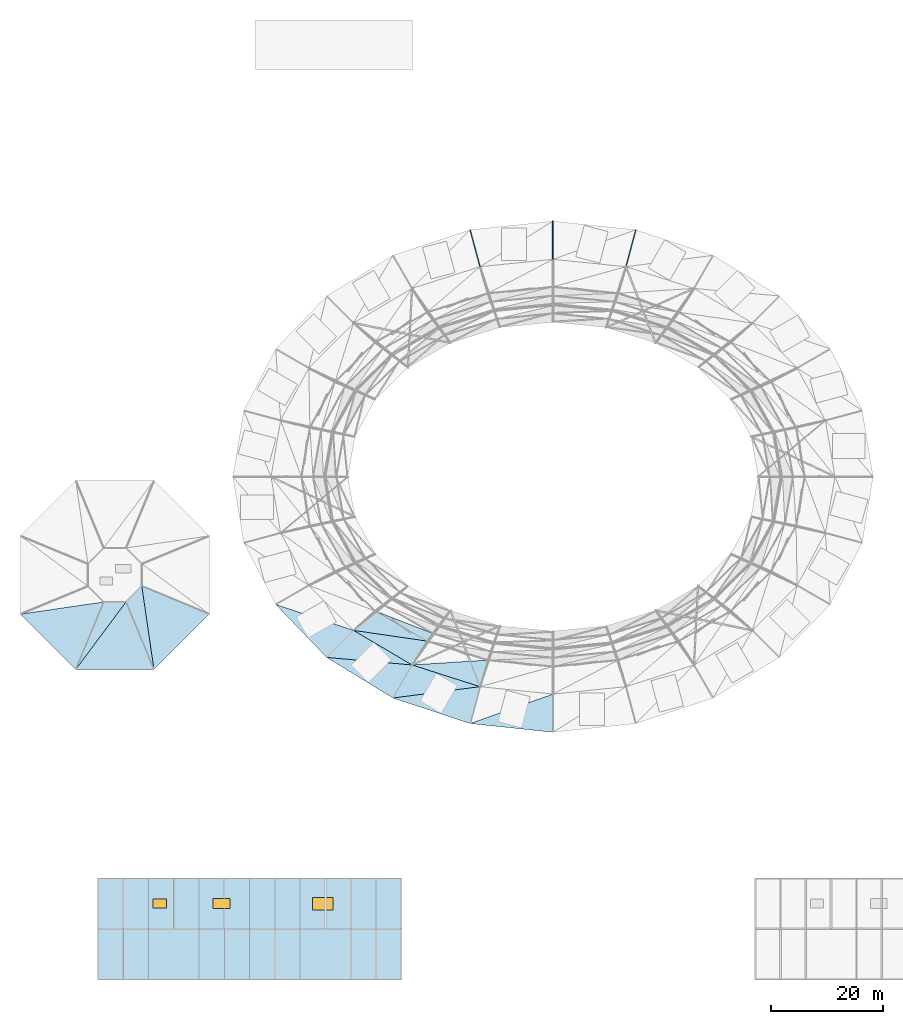
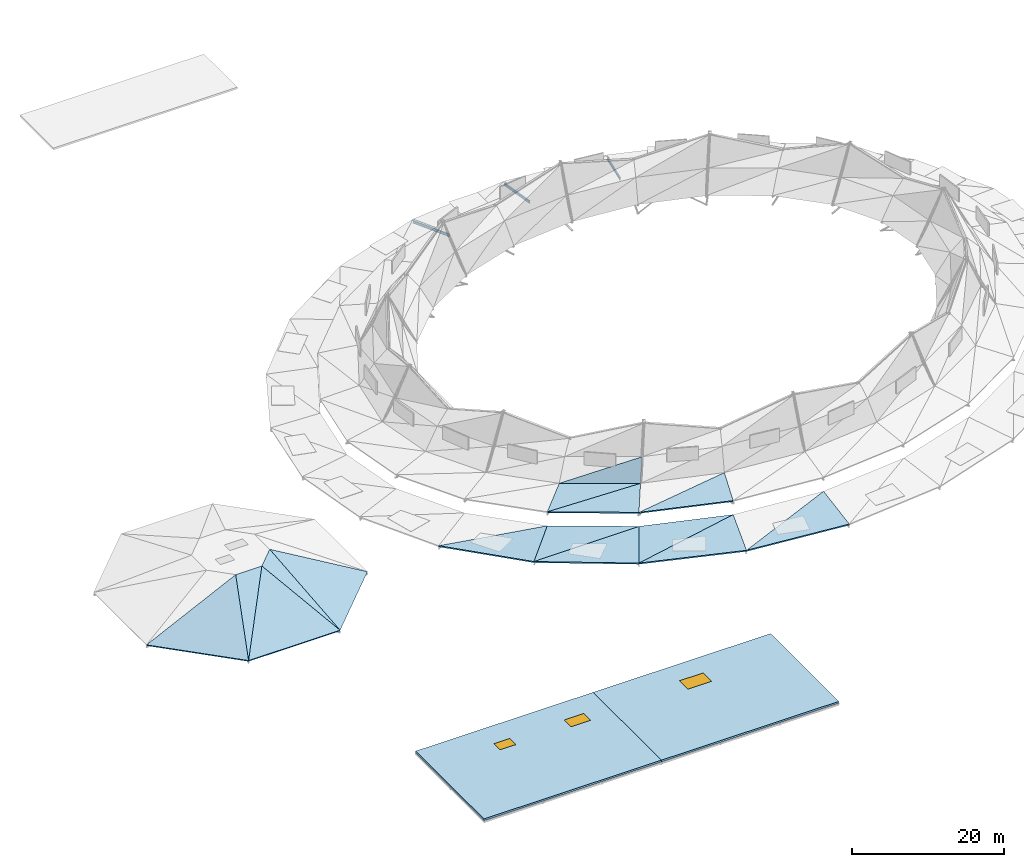
# One storey, part 25 of 36: 17 slabs, 3 beams, 3 windows, 3 openings.
"""IFC4 building model written with IfcOpenShell, lengths in metres."""

from ifc_helpers import new_model, si_unit, direction, frame, origin, origin_2d, place, context, subcontext, project, spatial, polyline, rectangle, i_section, outline, extrude, material, layer, layer_set, material_profile, profile_set, type_object, element, fill, save


model = new_model("IFC4")

# Units and contexts
model_context = context("Model", 3, precision=1e-05, world=origin(), true_north=direction((0.0, 1.0)))
body_context = subcontext(model_context, "Body", "Model", "MODEL_VIEW")
ifc_project = project(units=[si_unit("LENGTHUNIT", "METRE"), si_unit("AREAUNIT", "SQUARE_METRE"), si_unit("VOLUMEUNIT", "CUBIC_METRE"), si_unit("PLANEANGLEUNIT", "RADIAN"), si_unit("MASSUNIT", "GRAM", prefix="KILO")], contexts=[model_context])

# Site, building, storey
site_placement = place(None, origin())
site = spatial("IfcSite", under=ifc_project, at=site_placement, CompositionType="ELEMENT")
building_placement = place(site_placement, origin())
building = spatial("IfcBuilding", under=site, at=building_placement, Name="Kildeholm Park Wholesale Market", CompositionType="ELEMENT")
storey_placement = place(building_placement, frame((0.0, 0.0, 17.39990234375)))
storey = spatial("IfcBuildingStorey", under=building, at=storey_placement, Name="Roof", CompositionType="ELEMENT", Elevation=17.39990234375)

# Beams
ifc_material_1 = material(Name="Steel S355", Category="steel")
ifc_material_profile = material_profile(ifc_material_1, i_section(OverallWidth=0.179931640625, OverallDepth=0.39990234375, WebThickness=0.008544921875, FlangeThickness=0.013427734375, FilletRadius=0.02099609375, at=origin_2d()), Name="IPE 400")
ifc_profile_set = profile_set([ifc_material_profile], Name="Steel S355")
beam_type = type_object("IfcBeamType", Name="Beam B-P01 IPE 400", PredefinedType="BEAM", material=ifc_profile_set)
beam_1_placement = place(storey_placement, frame((113.7529296875, 133.449951171875, -8.024658203125), z_axis=(-0.255181985009, -0.952410388217, 0.166723144596), x_axis=(0.965929783914, -0.258804274594, 0.0)))
element("IfcBeam", 1, at=beam_1_placement, inside=storey, type_object=beam_type, Name="Beam BM-V1-RF-S1-05 BM-0249", PredefinedType="BEAM", context=body_context, shape_type="SweptSolid", body=[
    extrude(i_section(OverallWidth=0.179931640625, OverallDepth=0.39990234375, WebThickness=0.008544921875, FlangeThickness=0.013427734375, FilletRadius=0.02099609375, at=origin_2d()), origin(), (0.0, 0.0, 1.0), 6.89697265625),
])
beam_2_placement = place(storey_placement, frame((99.0, 135.0, -8.0244140625), z_axis=(0.0, -0.98599593418, 0.16676935504), x_axis=(1.0, 0.0, 0.0)))
element("IfcBeam", 2, at=beam_2_placement, inside=storey, type_object=beam_type, Name="Beam BM-V1-RF-S1-06 BM-0255", PredefinedType="BEAM", context=body_context, shape_type="SweptSolid", body=[
    extrude(i_section(OverallWidth=0.179931640625, OverallDepth=0.39990234375, WebThickness=0.008544921875, FlangeThickness=0.013427734375, FilletRadius=0.02099609375, at=origin_2d()), origin(), (0.0, 0.0, 1.0), 6.896728515625),
])
beam_3_placement = place(storey_placement, frame((84.2470703125, 133.449951171875, -8.0244140625), z_axis=(0.255180478877, -0.95240476691, 0.166757558051), x_axis=(0.965929783914, 0.258804274594, 0.0)))
element("IfcBeam", 3, at=beam_3_placement, inside=storey, type_object=beam_type, Name="Beam BM-V1-RF-S1-07 BM-0261", PredefinedType="BEAM", context=body_context, shape_type="SweptSolid", body=[
    extrude(i_section(OverallWidth=0.179931640625, OverallDepth=0.39990234375, WebThickness=0.008544921875, FlangeThickness=0.013427734375, FilletRadius=0.02099609375, at=origin_2d()), origin(), (0.0, 0.0, 1.0), 6.897216796875),
])

# Slab, openings, windows
ifc_material_2 = material(Name="Concrete C35/45", Category="concrete")
ifc_layer_1 = layer(ifc_material_2, 0.280029296875)
ifc_layer_set_1 = layer_set([ifc_layer_1], Name="Concrete C35/45")
slab_type_1 = type_object("IfcSlabType", Name="Slab S-RF1 280 mm", PredefinedType="ROOF", material=ifc_layer_set_1)
slab_1_placement = place(storey_placement, frame((0.0, 0.0, -0.27978515625)))
slab_1 = element("IfcSlab", 4, at=slab_1_placement, inside=storey, type_object=slab_type_1, Name="V5W Roof slab RF part 1 SLB-0378", PredefinedType="ROOF", context=body_context, shape_type="SweptSolid", body=[
    extrude(outline(polyline([(18.0, 0.0), (45.0, 0.0), (45.0, 18.0), (18.0, 18.0), (18.0, 0.0)])), origin(), (0.0, 0.0, 1.0), 0.27978515625),
])
opening_1_placement = place(slab_1_placement, frame((29.0, 13.5, 0.0)))
opening_1 = element("IfcOpeningElement", 5, at=opening_1_placement, cuts=slab_1, Name="Opening SK-01", PredefinedType="OPENING", context=body_context, shape_type="SweptSolid", body=[
    extrude(rectangle(XDim=2.39990234375, YDim=1.60009765625, at=origin_2d()), frame((0.0, 0.0, -0.010009765625)), (0.0, 0.0, 1.0), 0.2998046875),
])
opening_2_placement = place(slab_1_placement, frame((40.0, 13.5, 0.0)))
opening_2 = element("IfcOpeningElement", 6, at=opening_2_placement, cuts=slab_1, Name="Opening SK-02", PredefinedType="OPENING", context=body_context, shape_type="SweptSolid", body=[
    extrude(rectangle(XDim=3.0, YDim=1.800048828125, at=origin_2d()), frame((0.0, 0.0, -0.010009765625)), (0.0, 0.0, 1.0), 0.2998046875),
])
ifc_material_3 = material(Name="Thermally broken aluminium and triple-glazed low-E glass", Category="aluminium")
window_type_1 = type_object("IfcWindowType", Name="Roof skylight SK-01 2400x1600", PartitioningType="SINGLE_PANEL", PredefinedType="SKYLIGHT", material=ifc_material_3)
window_1_placement = place(opening_1_placement, frame((0.0, 0.0, 0.2197265625)))
window_1 = element("IfcWindow", 7, at=window_1_placement, inside=storey, type_object=window_type_1, Name="V5W roof skylight 1.11 WIN-0349", OverallHeight=1.60009765625, OverallWidth=2.39990234375, PartitioningType="SINGLE_PANEL", PredefinedType="SKYLIGHT", context=body_context, shape_type="SweptSolid", body=[
    extrude(rectangle(XDim=2.39990234375, YDim=1.60009765625, at=origin_2d()), origin(), (0.0, 0.0, 1.0), 0.06005859375),
])
fill(opening_1, window_1)
window_type_2 = type_object("IfcWindowType", Name="Roof skylight SK-02 3000x1800", PartitioningType="DOUBLE_PANEL_VERTICAL", PredefinedType="SKYLIGHT", material=ifc_material_3)
window_2_placement = place(opening_2_placement, frame((0.0, 0.0, 0.2197265625)))
window_2 = element("IfcWindow", 8, at=window_2_placement, inside=storey, type_object=window_type_2, Name="V5W roof skylight 1.22 WIN-0350", OverallHeight=1.800048828125, OverallWidth=3.0, PartitioningType="SINGLE_PANEL", PredefinedType="SKYLIGHT", context=body_context, shape_type="SweptSolid", body=[
    extrude(rectangle(XDim=3.0, YDim=1.800048828125, at=origin_2d()), origin(), (0.0, 0.0, 1.0), 0.06005859375),
])
fill(opening_2, window_2)

# Slab, opening, window
slab_2_placement = place(storey_placement, frame((0.0, 0.0, -0.27978515625)))
slab_2 = element("IfcSlab", 9, at=slab_2_placement, inside=storey, type_object=slab_type_1, Name="V5W Roof slab RF part 2 SLB-0379", PredefinedType="ROOF", context=body_context, shape_type="SweptSolid", body=[
    extrude(outline(polyline([(45.0, 0.0), (72.0, 0.0), (72.0, 18.0), (45.0, 18.0), (45.0, 0.0)])), origin(), (0.0, 0.0, 1.0), 0.27978515625),
])
opening_3_placement = place(slab_2_placement, frame((58.0, 13.5, 0.0)))
opening_3 = element("IfcOpeningElement", 10, at=opening_3_placement, cuts=slab_2, Name="Opening SK-03", PredefinedType="OPENING", context=body_context, shape_type="SweptSolid", body=[
    extrude(rectangle(XDim=3.60009765625, YDim=2.199951171875, at=origin_2d()), frame((0.0, 0.0, -0.010009765625)), (0.0, 0.0, 1.0), 0.2998046875),
])
window_type_3 = type_object("IfcWindowType", Name="Roof skylight SK-03 3600x2200", PartitioningType="TRIPLE_PANEL_VERTICAL", PredefinedType="SKYLIGHT", material=ifc_material_3)
window_3_placement = place(opening_3_placement, frame((0.0, 0.0, 0.2197265625)))
window_3 = element("IfcWindow", 11, at=window_3_placement, inside=storey, type_object=window_type_3, Name="V5W roof skylight 2.40 WIN-0351", OverallHeight=2.199951171875, OverallWidth=3.60009765625, PartitioningType="SINGLE_PANEL", PredefinedType="SKYLIGHT", context=body_context, shape_type="SweptSolid", body=[
    extrude(rectangle(XDim=3.60009765625, YDim=2.199951171875, at=origin_2d()), origin(), (0.0, 0.0, 1.0), 0.06005859375),
])
fill(opening_3, window_3)

# Slabs
ifc_layer_2 = layer(ifc_material_2, 0.219970703125)
ifc_layer_set_2 = layer_set([ifc_layer_2], Name="Concrete C35/45")
slab_type_2 = type_object("IfcSlabType", Name="Slab S-RF2 220 mm", PredefinedType="ROOF", material=ifc_layer_set_2)
slab_3_placement = place(storey_placement, frame((49.636962890625, 66.75, -7.599853515625), z_axis=(-0.120236411045, -0.115579224359, 0.985994243571), x_axis=(0.693006803532, -0.720931044039, 0.0)))
element("IfcSlab", 12, at=slab_3_placement, inside=storey, type_object=slab_type_2, Name="Outer white ceramic rim band 1 sector 15A SLB-0181", PredefinedType="ROOF", context=body_context, shape_type="SweptSolid", body=[
    extrude(outline(polyline([(0.0, 0.0), (13.070730940282242, -8.881784197001252e-16), (12.936299055677074, 6.894752513155697), (0.0, 0.0)])), origin(), (0.0, 0.0, -1.0), 0.219970703125),
])
slab_4_placement = place(storey_placement, frame((58.695068359375, 57.326904296875, -7.599853515625), z_axis=(-0.087119347575, -0.142227085329, 0.985992736016), x_axis=(0.852740373682, -0.522335002745, 0.0)))
element("IfcSlab", 13, at=slab_4_placement, inside=storey, type_object=slab_type_2, Name="Outer white ceramic rim band 1 sector 16A SLB-0193", PredefinedType="ROOF", context=body_context, shape_type="SweptSolid", body=[
    extrude(outline(polyline([(0.0, 0.0), (13.843523779284418, 0.0), (13.666643287997365, 6.894384090327653), (0.0, 0.0)])), origin(), (0.0, 0.0, -1.0), 0.219970703125),
])
slab_5_placement = place(storey_placement, frame((58.695068359375, 57.326904296875, -7.599853515625), z_axis=(-0.087564249827, -0.148035376862, 0.985097979568), x_axis=(0.993314043853, -0.087658022528, 0.075121776948)))
element("IfcSlab", 14, at=slab_5_placement, inside=storey, type_object=slab_type_2, Name="Outer white ceramic rim band 1 sector 16B SLB-0194", PredefinedType="ROOF", context=body_context, shape_type="SweptSolid", body=[
    extrude(outline(polyline([(0.0, 0.0), (15.307177099201748, 2.498001805406602e-16), (4.440629868005163, 5.276029807027794), (0.0, 0.0)])), origin(), (0.0, 0.0, -1.0), 0.219970703125),
])
slab_6_placement = place(storey_placement, frame((63.5029296875, 62.135009765625, -4.199951171875), z_axis=(-0.113556575253, -0.191977781411, 0.974807383877), x_axis=(0.860700316594, -0.509111937609, 0.0)))
element("IfcSlab", 15, at=slab_6_placement, inside=storey, type_object=slab_type_2, Name="Upper white ceramic rim band 2 sector 16A SLB-0195", PredefinedType="ROOF", context=body_context, shape_type="SweptSolid", body=[
    extrude(outline(polyline([(0.0, 0.0), (12.079666355180176, 0.0), (12.243604132970296, 5.156489651848838), (0.0, 0.0)])), origin(), (0.0, 0.0, -1.0), 0.219970703125),
])
slab_7_placement = place(storey_placement, frame((63.5029296875, 62.135009765625, -4.199951171875), z_axis=(-0.114229284268, -0.197284834122, 0.973668508704), x_axis=(0.985850165908, -0.143542401035, 0.08657383834)))
element("IfcSlab", 16, at=slab_7_placement, inside=storey, type_object=slab_type_2, Name="Upper white ceramic rim band 2 sector 16B SLB-0196", PredefinedType="ROOF", context=body_context, shape_type="SweptSolid", body=[
    extrude(outline(polyline([(0.0, 0.0), (13.28515064628593, 3.608224830031759e-16), (3.3672378417552733, 4.07146687267444), (0.0, 0.0)])), origin(), (0.0, 0.0, -1.0), 0.219970703125),
])
slab_8_placement = place(storey_placement, frame((67.322021484375, 65.60009765625, -3.0498046875), z_axis=(-0.439345660507, -0.75879172588, 0.480843537266), x_axis=(0.865403937833, -0.501074869039, 0.0)))
element("IfcSlab", 17, at=slab_8_placement, inside=storey, type_object=slab_type_2, Name="Arched gable roof facet 16-LOA SLB-0197", PredefinedType="ROOF", context=body_context, shape_type="SweptSolid", body=[
    extrude(outline(polyline([(0.0, 0.0), (10.721093082963066, 8.881784197001252e-16), (10.934927367791687, 3.535391000763841), (0.0, 0.0)])), origin(), (0.0, 0.0, -1.0), 0.219970703125),
])
slab_9_placement = place(storey_placement, frame((70.5, 50.095947265625, -7.599853515625), z_axis=(-0.052428977126, -0.158548380453, 0.985958220927), x_axis=(0.949435985478, -0.313960681424, 0.0)))
element("IfcSlab", 18, at=slab_9_placement, inside=storey, type_object=slab_type_2, Name="Outer white ceramic rim band 1 sector 17A SLB-0205", PredefinedType="ROOF", context=body_context, shape_type="SweptSolid", body=[
    extrude(outline(polyline([(0.0, 0.0), (14.479196620699776, 8.881784197001252e-16), (14.087853340652858, 6.885965418402882), (0.0, 0.0)])), origin(), (0.0, 0.0, -1.0), 0.219970703125),
])
slab_10_placement = place(storey_placement, frame((70.5, 50.095947265625, -7.599853515625), z_axis=(-0.051875197447, -0.162449034896, 0.985352360809), x_axis=(0.988928239616, 0.129008917195, 0.073332367848)))
element("IfcSlab", 19, at=slab_10_placement, inside=storey, type_object=slab_type_2, Name="Outer white ceramic rim band 1 sector 17B SLB-0206", PredefinedType="ROOF", context=body_context, shape_type="SweptSolid", body=[
    extrude(outline(polyline([(0.0, 0.0), (15.680692953156894, 0.0), (4.206338676276323, 5.4653941883109365), (0.0, 0.0)])), origin(), (0.0, 0.0, -1.0), 0.219970703125),
])
slab_11_placement = place(storey_placement, frame((73.89990234375, 55.985107421875, -4.199951171875), z_axis=(-0.069057833117, -0.216257072626, 0.973891110045), x_axis=(0.952608649326, -0.304198555599, 0.0)))
element("IfcSlab", 20, at=slab_11_placement, inside=storey, type_object=slab_type_2, Name="Upper white ceramic rim band 2 sector 17A SLB-0207", PredefinedType="ROOF", context=body_context, shape_type="SweptSolid", body=[
    extrude(outline(polyline([(0.0, 0.0), (12.709498011526277, 4.440892098500626e-16), (12.601377828087868, 5.0663752898579695), (0.0, 0.0)])), origin(), (0.0, 0.0, -1.0), 0.219970703125),
])
slab_12_placement = place(storey_placement, frame((84.2470703125, 45.550048828125, -7.599853515625), z_axis=(-0.017515683595, -0.166709360257, 0.985850490709), x_axis=(0.99452572496, -0.104492020715, 0.0)))
element("IfcSlab", 21, at=slab_12_placement, inside=storey, type_object=slab_type_2, Name="Outer white ceramic rim band 1 sector 18A SLB-0217", PredefinedType="ROOF", context=body_context, shape_type="SweptSolid", body=[
    extrude(outline(polyline([(0.0, 0.0), (14.834135827000187, 2.220446049250313e-16), (14.123584983988293, 6.859887532936747), (0.0, 0.0)])), origin(), (0.0, 0.0, -1.0), 0.219970703125),
])
slab_13_placement = place(storey_placement, frame((4.18505859375, 65.034912109375, -6.599853515625), z_axis=(-0.26240826142, -0.26240826142, 0.92859238026), x_axis=(0.707106781187, -0.707106781187, 0.0)))
element("IfcSlab", 22, at=slab_13_placement, inside=storey, type_object=slab_type_2, Name="Auction pavilion hipped roof facet 5A SLB-0331", PredefinedType="ROOF", context=body_context, shape_type="SweptSolid", body=[
    extrude(outline(polyline([(0.0, 0.0), (13.929796429185187, 0.0), (8.954671837628762, 12.93460449006867), (0.0, 0.0)])), origin(), (0.0, 0.0, -1.0), 0.219970703125),
])
slab_14_placement = place(storey_placement, frame((14.034912109375, 55.18505859375, -6.599853515625), z_axis=(0.0, -0.371101024937, 0.928592499049), x_axis=(1.0, 0.0, 0.0)))
element("IfcSlab", 23, at=slab_14_placement, inside=storey, type_object=slab_type_2, Name="Auction pavilion hipped roof facet 6A SLB-0333", PredefinedType="ROOF", context=body_context, shape_type="SweptSolid", body=[
    extrude(outline(polyline([(0.0, 0.0), (13.93017578125, 0.0), (8.955078125, 12.934614850345946), (0.0, 0.0)])), origin(), (0.0, 0.0, -1.0), 0.219970703125),
])
slab_15_placement = place(storey_placement, frame((14.034912109375, 55.18505859375, -6.599853515625), z_axis=(0.0, -0.371101024937, 0.928592499049), x_axis=(0.569224793235, 0.763471977992, 0.305112558882)))
element("IfcSlab", 24, at=slab_15_placement, inside=storey, type_object=slab_type_2, Name="Auction pavilion hipped roof facet 6B SLB-0334", PredefinedType="ROOF", context=body_context, shape_type="SweptSolid", body=[
    extrude(outline(polyline([(0.0, 0.0), (15.732059164382878, 6.661338147750939e-16), (13.466555604981, 3.272268044333912), (0.0, 0.0)])), origin(), (0.0, 0.0, -1.0), 0.219970703125),
])
slab_16_placement = place(storey_placement, frame((27.965087890625, 55.18505859375, -6.599853515625), z_axis=(0.26240826142, -0.26240826142, 0.92859238026), x_axis=(0.707106781187, 0.707106781187, 0.0)))
element("IfcSlab", 25, at=slab_16_placement, inside=storey, type_object=slab_type_2, Name="Auction pavilion hipped roof facet 7A SLB-0335", PredefinedType="ROOF", context=body_context, shape_type="SweptSolid", body=[
    extrude(outline(polyline([(0.0, 0.0), (13.929796429185187, 0.0), (8.954671837628762, 12.93460449006867), (0.0, 0.0)])), origin(), (0.0, 0.0, -1.0), 0.219970703125),
])
slab_17_placement = place(storey_placement, frame((27.965087890625, 55.18505859375, -6.599853515625), z_axis=(0.26240826142, -0.26240826142, 0.92859238026), x_axis=(-0.137373355247, 0.942354524477, 0.305117209389)))
element("IfcSlab", 26, at=slab_17_placement, inside=storey, type_object=slab_type_2, Name="Auction pavilion hipped roof facet 7B SLB-0336", PredefinedType="ROOF", context=body_context, shape_type="SweptSolid", body=[
    extrude(outline(polyline([(0.0, 0.0), (15.731819380927506, -4.440892098500626e-16), (13.466630670833373, 3.271959106007287), (0.0, 0.0)])), origin(), (0.0, 0.0, -1.0), 0.219970703125),
])

save(model, "model.ifc")
